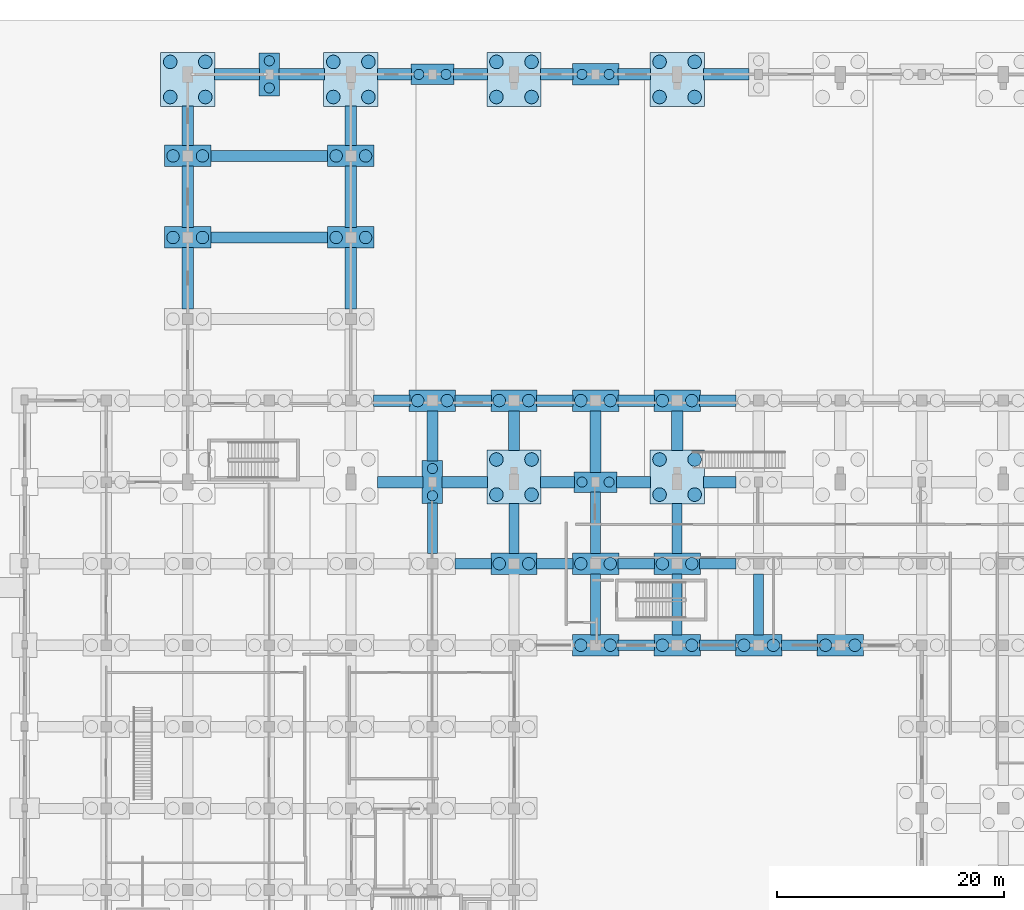
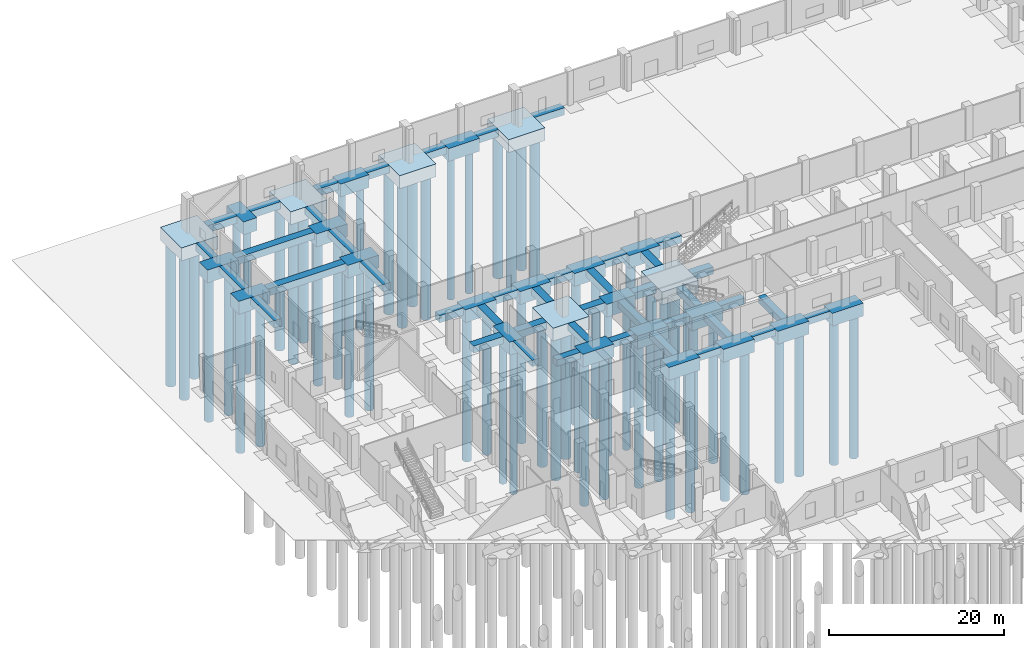
# One storey, part 7 of 48: 69 footings, 64 piles.
"""IFC4 building model written with IfcOpenShell, lengths in metres."""

from ifc_helpers import new_model, si_unit, direction, frame, origin, origin_2d, place, context, subcontext, project, spatial, rectangle, circle, extrude, material, material_profile, profile_set, type_object, element, save


model = new_model("IFC4")

# Units and contexts
model_context = context("Model", 3, precision=1e-05, world=origin(), true_north=direction((0.0, 1.0)))
body_context = subcontext(model_context, "Body", "Model", "MODEL_VIEW")
ifc_project = project(units=[si_unit("LENGTHUNIT", "METRE"), si_unit("AREAUNIT", "SQUARE_METRE"), si_unit("VOLUMEUNIT", "CUBIC_METRE"), si_unit("PLANEANGLEUNIT", "RADIAN"), si_unit("MASSUNIT", "GRAM", prefix="KILO")], contexts=[model_context])

# Site, building, storey
site_placement = place(None, origin())
site = spatial("IfcSite", under=ifc_project, at=site_placement, CompositionType="ELEMENT")
building_placement = place(site_placement, origin())
building = spatial("IfcBuilding", under=site, at=building_placement, Name="Seraya Terrace Polytechnic", CompositionType="ELEMENT")
storey_placement = place(building_placement, origin())
storey = spatial("IfcBuildingStorey", under=building, at=storey_placement, Name="L00", CompositionType="ELEMENT", Elevation=0.0)

# Piles
ifc_material = material(Name="Concrete C40/50", Category="concrete")
ifc_material_profile_1 = material_profile(ifc_material, circle(Radius=0.449951171875, at=origin_2d()), Name="DIA 900")
ifc_profile_set_1 = profile_set([ifc_material_profile_1], Name="Concrete C40/50")
pile_type_1 = type_object("IfcPileType", Name="BP-02", PredefinedType="BORED", material=ifc_profile_set_1)
for number, where, z_axis, x_axis, name in (
    (1, (21.60009765625, 114.0, -1.699951171875), (0.0, 0.0, -1.0), (1.0, 0.0, 0.0), "Bored pile BP-02 0216_1152-1"),
    (2, (21.60009765625, 116.39990234375, -1.699951171875), (0.0, 0.0, -1.0), (1.0, 0.0, 0.0), "Bored pile BP-02 0216_1152-2"),
    (3, (36.0, 78.0, -1.699951171875), (0.0, 0.0, -1.0), (1.0, 0.0, 0.0), "Bored pile BP-02 0360_0792-1"),
    (4, (36.0, 80.39990234375, -1.699951171875), (0.0, 0.0, -1.0), (1.0, 0.0, 0.0), "Bored pile BP-02 0360_0792-2"),
    (5, (34.800048828125, 115.199951171875, -1.699951171875), (0.0, 0.0, -1.0), (1.0, 0.0, 0.0), "Bored pile BP-02 0360_1152-1"),
    (6, (37.199951171875, 115.199951171875, -1.699951171875), (0.0, 0.0, -1.0), (1.0, 0.0, 0.0), "Bored pile BP-02 0360_1152-2"),
    (7, (49.199951171875, 79.199951171875, -1.699951171875), (0.0, 0.0, -1.0), (1.0, 0.0, 0.0), "Bored pile BP-02 0504_0792-1"),
    (8, (51.60009765625, 79.199951171875, -1.699951171875), (0.0, 0.0, -1.0), (1.0, 0.0, 0.0), "Bored pile BP-02 0504_0792-2"),
    (9, (49.199951171875, 115.199951171875, -1.699951171875), (0.0, 0.0, -1.0), (1.0, 0.0, 0.0), "Bored pile BP-02 0504_1152-1"),
    (10, (51.60009765625, 115.199951171875, -1.699951171875), (0.0, 0.0, -1.0), (1.0, 0.0, 0.0), "Bored pile BP-02 0504_1152-2"),
):
    element("IfcPile", number, at=place(storey_placement, frame(where, z_axis=z_axis, x_axis=x_axis)), inside=storey, type_object=pile_type_1, Name=name, PredefinedType="BORED", context=body_context, shape_type="SweptSolid", body=[
        extrude(circle(Radius=0.449951171875, at=origin_2d()), origin(), (0.0, 0.0, 1.0), 20.0),
    ])
ifc_material_profile_2 = material_profile(ifc_material, circle(Radius=0.550048828125, at=origin_2d()), Name="DIA 1100")
ifc_profile_set_2 = profile_set([ifc_material_profile_2], Name="Concrete C40/50")
pile_type_2 = type_object("IfcPileType", Name="BP-04", PredefinedType="BORED", material=ifc_profile_set_2)
for number, where, z_axis, x_axis, name in (
    (11, (13.10009765625, 100.800048828125, -1.699951171875), (0.0, 0.0, -1.0), (1.0, 0.0, 0.0), "Bored pile BP-04 0144_1008-1"),
    (12, (15.699951171875, 100.800048828125, -1.699951171875), (0.0, 0.0, -1.0), (1.0, 0.0, 0.0), "Bored pile BP-04 0144_1008-2"),
    (13, (13.10009765625, 108.0, -1.699951171875), (0.0, 0.0, -1.0), (1.0, 0.0, 0.0), "Bored pile BP-04 0144_1080-1"),
    (14, (15.699951171875, 108.0, -1.699951171875), (0.0, 0.0, -1.0), (1.0, 0.0, 0.0), "Bored pile BP-04 0144_1080-2"),
    (15, (27.5, 100.800048828125, -1.699951171875), (0.0, 0.0, -1.0), (1.0, 0.0, 0.0), "Bored pile BP-04 0288_1008-1"),
    (16, (30.10009765625, 100.800048828125, -1.699951171875), (0.0, 0.0, -1.0), (1.0, 0.0, 0.0), "Bored pile BP-04 0288_1008-2"),
    (17, (27.5, 108.0, -1.699951171875), (0.0, 0.0, -1.0), (1.0, 0.0, 0.0), "Bored pile BP-04 0288_1080-1"),
    (18, (30.10009765625, 108.0, -1.699951171875), (0.0, 0.0, -1.0), (1.0, 0.0, 0.0), "Bored pile BP-04 0288_1080-2"),
    (19, (34.699951171875, 86.39990234375, -1.699951171875), (0.0, 0.0, -1.0), (1.0, 0.0, 0.0), "Bored pile BP-04 0360_0864-1"),
    (20, (37.300048828125, 86.39990234375, -1.699951171875), (0.0, 0.0, -1.0), (1.0, 0.0, 0.0), "Bored pile BP-04 0360_0864-2"),
    (21, (41.89990234375, 72.0, -1.699951171875), (0.0, 0.0, -1.0), (1.0, 0.0, 0.0), "Bored pile BP-04 0432_0720-1"),
    (22, (44.5, 72.0, -1.699951171875), (0.0, 0.0, -1.0), (1.0, 0.0, 0.0), "Bored pile BP-04 0432_0720-2"),
    (23, (41.89990234375, 86.39990234375, -1.699951171875), (0.0, 0.0, -1.0), (1.0, 0.0, 0.0), "Bored pile BP-04 0432_0864-1"),
    (24, (44.5, 86.39990234375, -1.699951171875), (0.0, 0.0, -1.0), (1.0, 0.0, 0.0), "Bored pile BP-04 0432_0864-2"),
    (25, (49.10009765625, 64.800048828125, -1.699951171875), (0.0, 0.0, -1.0), (1.0, 0.0, 0.0), "Bored pile BP-04 0504_0648-1"),
    (26, (51.699951171875, 64.800048828125, -1.699951171875), (0.0, 0.0, -1.0), (1.0, 0.0, 0.0), "Bored pile BP-04 0504_0648-2"),
    (27, (49.10009765625, 72.0, -1.699951171875), (0.0, 0.0, -1.0), (1.0, 0.0, 0.0), "Bored pile BP-04 0504_0720-1"),
    (28, (51.699951171875, 72.0, -1.699951171875), (0.0, 0.0, -1.0), (1.0, 0.0, 0.0), "Bored pile BP-04 0504_0720-2"),
    (29, (49.10009765625, 86.39990234375, -1.699951171875), (0.0, 0.0, -1.0), (1.0, 0.0, 0.0), "Bored pile BP-04 0504_0864-1"),
    (30, (51.699951171875, 86.39990234375, -1.699951171875), (0.0, 0.0, -1.0), (1.0, 0.0, 0.0), "Bored pile BP-04 0504_0864-2"),
    (31, (56.300048828125, 64.800048828125, -1.699951171875), (0.0, 0.0, -1.0), (1.0, 0.0, 0.0), "Bored pile BP-04 0576_0648-1"),
    (32, (58.89990234375, 64.800048828125, -1.699951171875), (0.0, 0.0, -1.0), (1.0, 0.0, 0.0), "Bored pile BP-04 0576_0648-2"),
    (33, (56.300048828125, 72.0, -1.699951171875), (0.0, 0.0, -1.0), (1.0, 0.0, 0.0), "Bored pile BP-04 0576_0720-1"),
    (34, (58.89990234375, 72.0, -1.699951171875), (0.0, 0.0, -1.0), (1.0, 0.0, 0.0), "Bored pile BP-04 0576_0720-2"),
    (35, (56.300048828125, 86.39990234375, -1.699951171875), (0.0, 0.0, -1.0), (1.0, 0.0, 0.0), "Bored pile BP-04 0576_0864-1"),
    (36, (58.89990234375, 86.39990234375, -1.699951171875), (0.0, 0.0, -1.0), (1.0, 0.0, 0.0), "Bored pile BP-04 0576_0864-2"),
    (37, (63.5, 64.800048828125, -1.699951171875), (0.0, 0.0, -1.0), (1.0, 0.0, 0.0), "Bored pile BP-04 0648_0648-1"),
    (38, (66.10009765625, 64.800048828125, -1.699951171875), (0.0, 0.0, -1.0), (1.0, 0.0, 0.0), "Bored pile BP-04 0648_0648-2"),
    (39, (70.699951171875, 64.800048828125, -1.699951171875), (0.0, 0.0, -1.0), (1.0, 0.0, 0.0), "Bored pile BP-04 0720_0648-1"),
    (40, (73.300048828125, 64.800048828125, -1.699951171875), (0.0, 0.0, -1.0), (1.0, 0.0, 0.0), "Bored pile BP-04 0720_0648-2"),
):
    element("IfcPile", number, at=place(storey_placement, frame(where, z_axis=z_axis, x_axis=x_axis)), inside=storey, type_object=pile_type_2, Name=name, PredefinedType="BORED", context=body_context, shape_type="SweptSolid", body=[
        extrude(circle(Radius=0.550048828125, at=origin_2d()), origin(), (0.0, 0.0, 1.0), 20.0),
    ])
ifc_material_profile_3 = material_profile(ifc_material, circle(Radius=0.60009765625, at=origin_2d()), Name="DIA 1200")
ifc_profile_set_3 = profile_set([ifc_material_profile_3], Name="Concrete C40/50")
pile_type_3 = type_object("IfcPileType", Name="BP-05", PredefinedType="BORED", material=ifc_profile_set_3)
for number, where, z_axis, x_axis, name in (
    (41, (12.85009765625, 113.199951171875, -1.699951171875), (0.0, 0.0, -1.0), (1.0, 0.0, 0.0), "Bored pile BP-05 0144_1152-1"),
    (42, (15.949951171875, 113.199951171875, -1.699951171875), (0.0, 0.0, -1.0), (1.0, 0.0, 0.0), "Bored pile BP-05 0144_1152-2"),
    (43, (12.85009765625, 116.300048828125, -1.699951171875), (0.0, 0.0, -1.0), (1.0, 0.0, 0.0), "Bored pile BP-05 0144_1152-3"),
    (44, (15.949951171875, 116.300048828125, -1.699951171875), (0.0, 0.0, -1.0), (1.0, 0.0, 0.0), "Bored pile BP-05 0144_1152-4"),
    (45, (27.25, 113.199951171875, -1.699951171875), (0.0, 0.0, -1.0), (1.0, 0.0, 0.0), "Bored pile BP-05 0288_1152-1"),
    (46, (30.35009765625, 113.199951171875, -1.699951171875), (0.0, 0.0, -1.0), (1.0, 0.0, 0.0), "Bored pile BP-05 0288_1152-2"),
    (47, (27.25, 116.300048828125, -1.699951171875), (0.0, 0.0, -1.0), (1.0, 0.0, 0.0), "Bored pile BP-05 0288_1152-3"),
    (48, (30.35009765625, 116.300048828125, -1.699951171875), (0.0, 0.0, -1.0), (1.0, 0.0, 0.0), "Bored pile BP-05 0288_1152-4"),
    (49, (41.64990234375, 78.10009765625, -1.699951171875), (0.0, 0.0, -1.0), (1.0, 0.0, 0.0), "Bored pile BP-05 0432_0792-1"),
    (50, (44.75, 78.10009765625, -1.699951171875), (0.0, 0.0, -1.0), (1.0, 0.0, 0.0), "Bored pile BP-05 0432_0792-2"),
    (51, (41.64990234375, 81.199951171875, -1.699951171875), (0.0, 0.0, -1.0), (1.0, 0.0, 0.0), "Bored pile BP-05 0432_0792-3"),
    (52, (44.75, 81.199951171875, -1.699951171875), (0.0, 0.0, -1.0), (1.0, 0.0, 0.0), "Bored pile BP-05 0432_0792-4"),
    (53, (41.64990234375, 113.199951171875, -1.699951171875), (0.0, 0.0, -1.0), (1.0, 0.0, 0.0), "Bored pile BP-05 0432_1152-1"),
    (54, (44.75, 113.199951171875, -1.699951171875), (0.0, 0.0, -1.0), (1.0, 0.0, 0.0), "Bored pile BP-05 0432_1152-2"),
    (55, (41.64990234375, 116.300048828125, -1.699951171875), (0.0, 0.0, -1.0), (1.0, 0.0, 0.0), "Bored pile BP-05 0432_1152-3"),
    (56, (44.75, 116.300048828125, -1.699951171875), (0.0, 0.0, -1.0), (1.0, 0.0, 0.0), "Bored pile BP-05 0432_1152-4"),
    (57, (56.050048828125, 78.10009765625, -1.699951171875), (0.0, 0.0, -1.0), (1.0, 0.0, 0.0), "Bored pile BP-05 0576_0792-1"),
    (58, (59.14990234375, 78.10009765625, -1.699951171875), (0.0, 0.0, -1.0), (1.0, 0.0, 0.0), "Bored pile BP-05 0576_0792-2"),
    (59, (56.050048828125, 81.199951171875, -1.699951171875), (0.0, 0.0, -1.0), (1.0, 0.0, 0.0), "Bored pile BP-05 0576_0792-3"),
    (60, (59.14990234375, 81.199951171875, -1.699951171875), (0.0, 0.0, -1.0), (1.0, 0.0, 0.0), "Bored pile BP-05 0576_0792-4"),
    (61, (56.050048828125, 113.199951171875, -1.699951171875), (0.0, 0.0, -1.0), (1.0, 0.0, 0.0), "Bored pile BP-05 0576_1152-1"),
    (62, (59.14990234375, 113.199951171875, -1.699951171875), (0.0, 0.0, -1.0), (1.0, 0.0, 0.0), "Bored pile BP-05 0576_1152-2"),
    (63, (56.050048828125, 116.300048828125, -1.699951171875), (0.0, 0.0, -1.0), (1.0, 0.0, 0.0), "Bored pile BP-05 0576_1152-3"),
    (64, (59.14990234375, 116.300048828125, -1.699951171875), (0.0, 0.0, -1.0), (1.0, 0.0, 0.0), "Bored pile BP-05 0576_1152-4"),
):
    element("IfcPile", number, at=place(storey_placement, frame(where, z_axis=z_axis, x_axis=x_axis)), inside=storey, type_object=pile_type_3, Name=name, PredefinedType="BORED", context=body_context, shape_type="SweptSolid", body=[
        extrude(circle(Radius=0.60009765625, at=origin_2d()), origin(), (0.0, 0.0, 1.0), 20.0),
    ])

# Footings
footing_type_1 = type_object("IfcFootingType", Name="FB-01", PredefinedType="FOOTING_BEAM", material=ifc_material)
footing_1_placement = place(storey_placement, frame((39.60009765625, 72.0, -0.89990234375), z_axis=(0.0, 0.0, 1.0), x_axis=(1.0, 0.0, 0.0)))
element("IfcFooting", 65, at=footing_1_placement, inside=storey, type_object=footing_type_1, Name="Foundation tie beam FB-01 X", PredefinedType="FOOTING_BEAM", context=body_context, shape_type="SweptSolid", body=[
    extrude(rectangle(XDim=3.199951171875, YDim=0.89990234375, at=origin_2d()), origin(), (0.0, 0.0, 1.0), 0.89990234375),
])
footing_2_placement = place(storey_placement, frame((36.0, 75.125, -0.89990234375), z_axis=(0.0, 0.0, 1.0), x_axis=(0.0, 1.0, 0.0)))
element("IfcFooting", 66, at=footing_2_placement, inside=storey, type_object=footing_type_1, Name="Foundation tie beam FB-01 Y", PredefinedType="FOOTING_BEAM", context=body_context, shape_type="SweptSolid", body=[
    extrude(rectangle(XDim=4.449951171875, YDim=0.89990234375, at=origin_2d()), origin(), (0.0, 0.0, 1.0), 0.89990234375),
])
footing_3_placement = place(storey_placement, frame((46.800048828125, 72.0, -0.89990234375), z_axis=(0.0, 0.0, 1.0), x_axis=(1.0, 0.0, 0.0)))
element("IfcFooting", 67, at=footing_3_placement, inside=storey, type_object=footing_type_1, Name="Foundation tie beam FB-01 X", PredefinedType="FOOTING_BEAM", context=body_context, shape_type="SweptSolid", body=[
    extrude(rectangle(XDim=3.199951171875, YDim=0.89990234375, at=origin_2d()), origin(), (0.0, 0.0, 1.0), 0.89990234375),
])
footing_4_placement = place(storey_placement, frame((43.199951171875, 75.10009765625, -0.89990234375), z_axis=(0.0, 0.0, 1.0), x_axis=(0.0, 1.0, 0.0)))
element("IfcFooting", 68, at=footing_4_placement, inside=storey, type_object=footing_type_1, Name="Foundation tie beam FB-01 Y", PredefinedType="FOOTING_BEAM", context=body_context, shape_type="SweptSolid", body=[
    extrude(rectangle(XDim=4.39990234375, YDim=0.89990234375, at=origin_2d()), origin(), (0.0, 0.0, 1.0), 0.89990234375),
])
footing_5_placement = place(storey_placement, frame((54.0, 64.800048828125, -0.89990234375), z_axis=(0.0, 0.0, 1.0), x_axis=(1.0, 0.0, 0.0)))
element("IfcFooting", 69, at=footing_5_placement, inside=storey, type_object=footing_type_1, Name="Foundation tie beam FB-01 X", PredefinedType="FOOTING_BEAM", context=body_context, shape_type="SweptSolid", body=[
    extrude(rectangle(XDim=3.199951171875, YDim=0.89990234375, at=origin_2d()), origin(), (0.0, 0.0, 1.0), 0.89990234375),
])
footing_6_placement = place(storey_placement, frame((50.39990234375, 68.39990234375, -0.89990234375), z_axis=(0.0, 0.0, 1.0), x_axis=(0.0, 1.0, 0.0)))
element("IfcFooting", 70, at=footing_6_placement, inside=storey, type_object=footing_type_1, Name="Foundation tie beam FB-01 Y", PredefinedType="FOOTING_BEAM", context=body_context, shape_type="SweptSolid", body=[
    extrude(rectangle(XDim=5.39990234375, YDim=0.89990234375, at=origin_2d()), origin(), (0.0, 0.0, 1.0), 0.89990234375),
])
footing_7_placement = place(storey_placement, frame((54.0, 72.0, -0.89990234375), z_axis=(0.0, 0.0, 1.0), x_axis=(1.0, 0.0, 0.0)))
element("IfcFooting", 71, at=footing_7_placement, inside=storey, type_object=footing_type_1, Name="Foundation tie beam FB-01 X", PredefinedType="FOOTING_BEAM", context=body_context, shape_type="SweptSolid", body=[
    extrude(rectangle(XDim=3.199951171875, YDim=0.89990234375, at=origin_2d()), origin(), (0.0, 0.0, 1.0), 0.89990234375),
])
footing_8_placement = place(storey_placement, frame((50.39990234375, 75.625, -0.89990234375), z_axis=(0.0, 0.0, 1.0), x_axis=(0.0, 1.0, 0.0)))
element("IfcFooting", 72, at=footing_8_placement, inside=storey, type_object=footing_type_1, Name="Foundation tie beam FB-01 Y", PredefinedType="FOOTING_BEAM", context=body_context, shape_type="SweptSolid", body=[
    extrude(rectangle(XDim=5.449951171875, YDim=0.89990234375, at=origin_2d()), origin(), (0.0, 0.0, 1.0), 0.89990234375),
])
footing_9_placement = place(storey_placement, frame((61.199951171875, 64.800048828125, -0.89990234375), z_axis=(0.0, 0.0, 1.0), x_axis=(1.0, 0.0, 0.0)))
element("IfcFooting", 73, at=footing_9_placement, inside=storey, type_object=footing_type_1, Name="Foundation tie beam FB-01 X", PredefinedType="FOOTING_BEAM", context=body_context, shape_type="SweptSolid", body=[
    extrude(rectangle(XDim=3.199951171875, YDim=0.89990234375, at=origin_2d()), origin(), (0.0, 0.0, 1.0), 0.89990234375),
])
footing_10_placement = place(storey_placement, frame((57.60009765625, 68.39990234375, -0.89990234375), z_axis=(0.0, 0.0, 1.0), x_axis=(0.0, 1.0, 0.0)))
element("IfcFooting", 74, at=footing_10_placement, inside=storey, type_object=footing_type_1, Name="Foundation tie beam FB-01 Y", PredefinedType="FOOTING_BEAM", context=body_context, shape_type="SweptSolid", body=[
    extrude(rectangle(XDim=5.39990234375, YDim=0.89990234375, at=origin_2d()), origin(), (0.0, 0.0, 1.0), 0.89990234375),
])
footing_11_placement = place(storey_placement, frame((61.199951171875, 72.0, -0.89990234375), z_axis=(0.0, 0.0, 1.0), x_axis=(1.0, 0.0, 0.0)))
element("IfcFooting", 75, at=footing_11_placement, inside=storey, type_object=footing_type_1, Name="Foundation tie beam FB-01 X", PredefinedType="FOOTING_BEAM", context=body_context, shape_type="SweptSolid", body=[
    extrude(rectangle(XDim=3.199951171875, YDim=0.89990234375, at=origin_2d()), origin(), (0.0, 0.0, 1.0), 0.89990234375),
])
footing_12_placement = place(storey_placement, frame((57.60009765625, 75.10009765625, -0.89990234375), z_axis=(0.0, 0.0, 1.0), x_axis=(0.0, 1.0, 0.0)))
element("IfcFooting", 76, at=footing_12_placement, inside=storey, type_object=footing_type_1, Name="Foundation tie beam FB-01 Y", PredefinedType="FOOTING_BEAM", context=body_context, shape_type="SweptSolid", body=[
    extrude(rectangle(XDim=4.39990234375, YDim=0.89990234375, at=origin_2d()), origin(), (0.0, 0.0, 1.0), 0.89990234375),
])
footing_13_placement = place(storey_placement, frame((68.39990234375, 64.800048828125, -0.89990234375), z_axis=(0.0, 0.0, 1.0), x_axis=(1.0, 0.0, 0.0)))
element("IfcFooting", 77, at=footing_13_placement, inside=storey, type_object=footing_type_1, Name="Foundation tie beam FB-01 X", PredefinedType="FOOTING_BEAM", context=body_context, shape_type="SweptSolid", body=[
    extrude(rectangle(XDim=3.199951171875, YDim=0.89990234375, at=origin_2d()), origin(), (0.0, 0.0, 1.0), 0.89990234375),
])
footing_14_placement = place(storey_placement, frame((64.800048828125, 68.39990234375, -0.89990234375), z_axis=(0.0, 0.0, 1.0), x_axis=(0.0, 1.0, 0.0)))
element("IfcFooting", 78, at=footing_14_placement, inside=storey, type_object=footing_type_1, Name="Foundation tie beam FB-01 Y", PredefinedType="FOOTING_BEAM", context=body_context, shape_type="SweptSolid", body=[
    extrude(rectangle(XDim=5.39990234375, YDim=0.89990234375, at=origin_2d()), origin(), (0.0, 0.0, 1.0), 0.89990234375),
])
footing_type_2 = type_object("IfcFootingType", Name="FB-03", PredefinedType="FOOTING_BEAM", material=ifc_material)
footing_15_placement = place(storey_placement, frame((14.39990234375, 97.199951171875, -1.0), z_axis=(0.0, 0.0, 1.0), x_axis=(0.0, 1.0, 0.0)))
element("IfcFooting", 79, at=footing_15_placement, inside=storey, type_object=footing_type_2, Name="Foundation tie beam FB-03 Y", PredefinedType="FOOTING_BEAM", context=body_context, shape_type="SweptSolid", body=[
    extrude(rectangle(XDim=5.39990234375, YDim=1.0, at=origin_2d()), origin(), (0.0, 0.0, 1.0), 1.0),
])
footing_16_placement = place(storey_placement, frame((21.60009765625, 100.800048828125, -1.0), z_axis=(0.0, 0.0, 1.0), x_axis=(1.0, 0.0, 0.0)))
element("IfcFooting", 80, at=footing_16_placement, inside=storey, type_object=footing_type_2, Name="Foundation tie beam FB-03 X", PredefinedType="FOOTING_BEAM", context=body_context, shape_type="SweptSolid", body=[
    extrude(rectangle(XDim=10.39990234375, YDim=1.0, at=origin_2d()), origin(), (0.0, 0.0, 1.0), 1.0),
])
footing_17_placement = place(storey_placement, frame((14.39990234375, 104.39990234375, -1.0), z_axis=(0.0, 0.0, 1.0), x_axis=(0.0, 1.0, 0.0)))
element("IfcFooting", 81, at=footing_17_placement, inside=storey, type_object=footing_type_2, Name="Foundation tie beam FB-03 Y", PredefinedType="FOOTING_BEAM", context=body_context, shape_type="SweptSolid", body=[
    extrude(rectangle(XDim=5.39990234375, YDim=1.0, at=origin_2d()), origin(), (0.0, 0.0, 1.0), 1.0),
])
footing_18_placement = place(storey_placement, frame((21.60009765625, 108.0, -1.0), z_axis=(0.0, 0.0, 1.0), x_axis=(1.0, 0.0, 0.0)))
element("IfcFooting", 82, at=footing_18_placement, inside=storey, type_object=footing_type_2, Name="Foundation tie beam FB-03 X", PredefinedType="FOOTING_BEAM", context=body_context, shape_type="SweptSolid", body=[
    extrude(rectangle(XDim=10.39990234375, YDim=1.0, at=origin_2d()), origin(), (0.0, 0.0, 1.0), 1.0),
])
footing_19_placement = place(storey_placement, frame((14.39990234375, 110.64990234375, -1.0), z_axis=(0.0, 0.0, 1.0), x_axis=(0.0, 1.0, 0.0)))
element("IfcFooting", 83, at=footing_19_placement, inside=storey, type_object=footing_type_2, Name="Foundation tie beam FB-03 Y", PredefinedType="FOOTING_BEAM", context=body_context, shape_type="SweptSolid", body=[
    extrude(rectangle(XDim=3.5, YDim=1.0, at=origin_2d()), origin(), (0.0, 0.0, 1.0), 1.0),
])
for number, where, z_axis, x_axis, name in (
    (84, (18.75, 115.199951171875, -1.0), (0.0, 0.0, 1.0), (1.0, 0.0, 0.0), "Foundation tie beam FB-03 X"),
    (85, (24.449951171875, 115.199951171875, -1.0), (0.0, 0.0, 1.0), (1.0, 0.0, 0.0), "Foundation tie beam FB-03 X"),
    (86, (33.14990234375, 79.199951171875, -1.0), (0.0, 0.0, 1.0), (1.0, 0.0, 0.0), "Foundation tie beam FB-03 X"),
):
    element("IfcFooting", number, at=place(storey_placement, frame(where, z_axis=z_axis, x_axis=x_axis)), inside=storey, type_object=footing_type_2, Name=name, PredefinedType="FOOTING_BEAM", context=body_context, shape_type="SweptSolid", body=[
        extrude(rectangle(XDim=4.0, YDim=1.0, at=origin_2d()), origin(), (0.0, 0.0, 1.0), 1.0),
    ])
footing_20_placement = place(storey_placement, frame((32.39990234375, 86.39990234375, -1.0), z_axis=(0.0, 0.0, 1.0), x_axis=(1.0, 0.0, 0.0)))
element("IfcFooting", 87, at=footing_20_placement, inside=storey, type_object=footing_type_2, Name="Foundation tie beam FB-03 X", PredefinedType="FOOTING_BEAM", context=body_context, shape_type="SweptSolid", body=[
    extrude(rectangle(XDim=3.199951171875, YDim=1.0, at=origin_2d()), origin(), (0.0, 0.0, 1.0), 1.0),
])
for number, where, z_axis, x_axis, name in (
    (88, (28.800048828125, 97.199951171875, -1.0), (0.0, 0.0, 1.0), (0.0, 1.0, 0.0), "Foundation tie beam FB-03 Y"),
    (89, (28.800048828125, 104.39990234375, -1.0), (0.0, 0.0, 1.0), (0.0, 1.0, 0.0), "Foundation tie beam FB-03 Y"),
):
    element("IfcFooting", number, at=place(storey_placement, frame(where, z_axis=z_axis, x_axis=x_axis)), inside=storey, type_object=footing_type_2, Name=name, PredefinedType="FOOTING_BEAM", context=body_context, shape_type="SweptSolid", body=[
        extrude(rectangle(XDim=5.39990234375, YDim=1.0, at=origin_2d()), origin(), (0.0, 0.0, 1.0), 1.0),
    ])
footing_21_placement = place(storey_placement, frame((28.800048828125, 110.64990234375, -1.0), z_axis=(0.0, 0.0, 1.0), x_axis=(0.0, 1.0, 0.0)))
element("IfcFooting", 90, at=footing_21_placement, inside=storey, type_object=footing_type_2, Name="Foundation tie beam FB-03 Y", PredefinedType="FOOTING_BEAM", context=body_context, shape_type="SweptSolid", body=[
    extrude(rectangle(XDim=3.5, YDim=1.0, at=origin_2d()), origin(), (0.0, 0.0, 1.0), 1.0),
])
footing_22_placement = place(storey_placement, frame((32.64990234375, 115.199951171875, -1.0), z_axis=(0.0, 0.0, 1.0), x_axis=(1.0, 0.0, 0.0)))
element("IfcFooting", 91, at=footing_22_placement, inside=storey, type_object=footing_type_2, Name="Foundation tie beam FB-03 X", PredefinedType="FOOTING_BEAM", context=body_context, shape_type="SweptSolid", body=[
    extrude(rectangle(XDim=3.0, YDim=1.0, at=origin_2d()), origin(), (0.0, 0.0, 1.0), 1.0),
])
footing_23_placement = place(storey_placement, frame((38.85009765625, 79.199951171875, -1.0), z_axis=(0.0, 0.0, 1.0), x_axis=(1.0, 0.0, 0.0)))
element("IfcFooting", 92, at=footing_23_placement, inside=storey, type_object=footing_type_2, Name="Foundation tie beam FB-03 X", PredefinedType="FOOTING_BEAM", context=body_context, shape_type="SweptSolid", body=[
    extrude(rectangle(XDim=4.0, YDim=1.0, at=origin_2d()), origin(), (0.0, 0.0, 1.0), 1.0),
])
footing_24_placement = place(storey_placement, frame((36.0, 83.27490234375, -1.0), z_axis=(0.0, 0.0, 1.0), x_axis=(0.0, 1.0, 0.0)))
element("IfcFooting", 93, at=footing_24_placement, inside=storey, type_object=footing_type_2, Name="Foundation tie beam FB-03 Y", PredefinedType="FOOTING_BEAM", context=body_context, shape_type="SweptSolid", body=[
    extrude(rectangle(XDim=4.449951171875, YDim=1.0, at=origin_2d()), origin(), (0.0, 0.0, 1.0), 1.0),
])
footing_25_placement = place(storey_placement, frame((39.60009765625, 86.39990234375, -1.0), z_axis=(0.0, 0.0, 1.0), x_axis=(1.0, 0.0, 0.0)))
element("IfcFooting", 94, at=footing_25_placement, inside=storey, type_object=footing_type_2, Name="Foundation tie beam FB-03 X", PredefinedType="FOOTING_BEAM", context=body_context, shape_type="SweptSolid", body=[
    extrude(rectangle(XDim=3.199951171875, YDim=1.0, at=origin_2d()), origin(), (0.0, 0.0, 1.0), 1.0),
])
for number, where, z_axis, x_axis, name in (
    (95, (39.35009765625, 115.199951171875, -1.0), (0.0, 0.0, 1.0), (1.0, 0.0, 0.0), "Foundation tie beam FB-03 X"),
    (96, (47.050048828125, 79.199951171875, -1.0), (0.0, 0.0, 1.0), (1.0, 0.0, 0.0), "Foundation tie beam FB-03 X"),
):
    element("IfcFooting", number, at=place(storey_placement, frame(where, z_axis=z_axis, x_axis=x_axis)), inside=storey, type_object=footing_type_2, Name=name, PredefinedType="FOOTING_BEAM", context=body_context, shape_type="SweptSolid", body=[
        extrude(rectangle(XDim=3.0, YDim=1.0, at=origin_2d()), origin(), (0.0, 0.0, 1.0), 1.0),
    ])
footing_26_placement = place(storey_placement, frame((43.199951171875, 83.75, -1.0), z_axis=(0.0, 0.0, 1.0), x_axis=(0.0, 1.0, 0.0)))
element("IfcFooting", 97, at=footing_26_placement, inside=storey, type_object=footing_type_2, Name="Foundation tie beam FB-03 Y", PredefinedType="FOOTING_BEAM", context=body_context, shape_type="SweptSolid", body=[
    extrude(rectangle(XDim=3.5, YDim=1.0, at=origin_2d()), origin(), (0.0, 0.0, 1.0), 1.0),
])
footing_27_placement = place(storey_placement, frame((46.800048828125, 86.39990234375, -1.0), z_axis=(0.0, 0.0, 1.0), x_axis=(1.0, 0.0, 0.0)))
element("IfcFooting", 98, at=footing_27_placement, inside=storey, type_object=footing_type_2, Name="Foundation tie beam FB-03 X", PredefinedType="FOOTING_BEAM", context=body_context, shape_type="SweptSolid", body=[
    extrude(rectangle(XDim=3.199951171875, YDim=1.0, at=origin_2d()), origin(), (0.0, 0.0, 1.0), 1.0),
])
footing_28_placement = place(storey_placement, frame((46.97509765625, 115.199951171875, -1.0), z_axis=(0.0, 0.0, 1.0), x_axis=(1.0, 0.0, 0.0)))
element("IfcFooting", 99, at=footing_28_placement, inside=storey, type_object=footing_type_2, Name="Foundation tie beam FB-03 X", PredefinedType="FOOTING_BEAM", context=body_context, shape_type="SweptSolid", body=[
    extrude(rectangle(XDim=2.85009765625, YDim=1.0, at=origin_2d()), origin(), (0.0, 0.0, 1.0), 1.0),
])
footing_29_placement = place(storey_placement, frame((53.75, 79.199951171875, -1.0), z_axis=(0.0, 0.0, 1.0), x_axis=(1.0, 0.0, 0.0)))
element("IfcFooting", 100, at=footing_29_placement, inside=storey, type_object=footing_type_2, Name="Foundation tie beam FB-03 X", PredefinedType="FOOTING_BEAM", context=body_context, shape_type="SweptSolid", body=[
    extrude(rectangle(XDim=3.0, YDim=1.0, at=origin_2d()), origin(), (0.0, 0.0, 1.0), 1.0),
])
footing_30_placement = place(storey_placement, frame((50.39990234375, 82.77490234375, -1.0), z_axis=(0.0, 0.0, 1.0), x_axis=(0.0, 1.0, 0.0)))
element("IfcFooting", 101, at=footing_30_placement, inside=storey, type_object=footing_type_2, Name="Foundation tie beam FB-03 Y", PredefinedType="FOOTING_BEAM", context=body_context, shape_type="SweptSolid", body=[
    extrude(rectangle(XDim=5.449951171875, YDim=1.0, at=origin_2d()), origin(), (0.0, 0.0, 1.0), 1.0),
])
footing_31_placement = place(storey_placement, frame((54.0, 86.39990234375, -1.0), z_axis=(0.0, 0.0, 1.0), x_axis=(1.0, 0.0, 0.0)))
element("IfcFooting", 102, at=footing_31_placement, inside=storey, type_object=footing_type_2, Name="Foundation tie beam FB-03 X", PredefinedType="FOOTING_BEAM", context=body_context, shape_type="SweptSolid", body=[
    extrude(rectangle(XDim=3.199951171875, YDim=1.0, at=origin_2d()), origin(), (0.0, 0.0, 1.0), 1.0),
])
for number, where, z_axis, x_axis, name in (
    (103, (53.824951171875, 115.199951171875, -1.0), (0.0, 0.0, 1.0), (1.0, 0.0, 0.0), "Foundation tie beam FB-03 X"),
    (104, (61.375, 79.199951171875, -1.0), (0.0, 0.0, 1.0), (1.0, 0.0, 0.0), "Foundation tie beam FB-03 X"),
):
    element("IfcFooting", number, at=place(storey_placement, frame(where, z_axis=z_axis, x_axis=x_axis)), inside=storey, type_object=footing_type_2, Name=name, PredefinedType="FOOTING_BEAM", context=body_context, shape_type="SweptSolid", body=[
        extrude(rectangle(XDim=2.85009765625, YDim=1.0, at=origin_2d()), origin(), (0.0, 0.0, 1.0), 1.0),
    ])
footing_32_placement = place(storey_placement, frame((57.60009765625, 83.75, -1.0), z_axis=(0.0, 0.0, 1.0), x_axis=(0.0, 1.0, 0.0)))
element("IfcFooting", 105, at=footing_32_placement, inside=storey, type_object=footing_type_2, Name="Foundation tie beam FB-03 Y", PredefinedType="FOOTING_BEAM", context=body_context, shape_type="SweptSolid", body=[
    extrude(rectangle(XDim=3.5, YDim=1.0, at=origin_2d()), origin(), (0.0, 0.0, 1.0), 1.0),
])
footing_33_placement = place(storey_placement, frame((61.199951171875, 86.39990234375, -1.0), z_axis=(0.0, 0.0, 1.0), x_axis=(1.0, 0.0, 0.0)))
element("IfcFooting", 106, at=footing_33_placement, inside=storey, type_object=footing_type_2, Name="Foundation tie beam FB-03 X", PredefinedType="FOOTING_BEAM", context=body_context, shape_type="SweptSolid", body=[
    extrude(rectangle(XDim=3.199951171875, YDim=1.0, at=origin_2d()), origin(), (0.0, 0.0, 1.0), 1.0),
])
footing_34_placement = place(storey_placement, frame((61.949951171875, 115.199951171875, -1.0), z_axis=(0.0, 0.0, 1.0), x_axis=(1.0, 0.0, 0.0)))
element("IfcFooting", 107, at=footing_34_placement, inside=storey, type_object=footing_type_2, Name="Foundation tie beam FB-03 X", PredefinedType="FOOTING_BEAM", context=body_context, shape_type="SweptSolid", body=[
    extrude(rectangle(XDim=4.0, YDim=1.0, at=origin_2d()), origin(), (0.0, 0.0, 1.0), 1.0),
])
footing_type_3 = type_object("IfcFootingType", Name="PC-03", PredefinedType="PILE_CAP", material=ifc_material)
for number, where, z_axis, x_axis, name in (
    (108, (36.0, 115.199951171875, -1.7998046875), (0.0, 0.0, 1.0), (1.0, 0.0, 0.0), "Pile cap PC-03 at (36.0, 115.2)"),
    (109, (50.39990234375, 79.199951171875, -1.7998046875), (0.0, 0.0, 1.0), (1.0, 0.0, 0.0), "Pile cap PC-03 at (50.4, 79.2)"),
):
    element("IfcFooting", number, at=place(storey_placement, frame(where, z_axis=z_axis, x_axis=x_axis)), inside=storey, type_object=footing_type_3, Name=name, PredefinedType="PILE_CAP", context=body_context, shape_type="SweptSolid", body=[
        extrude(rectangle(XDim=3.800048828125, YDim=1.800048828125, at=origin_2d()), origin(), (0.0, 0.0, 1.0), 1.800048828125),
    ])
footing_type_4 = type_object("IfcFootingType", Name="PC-04", PredefinedType="PILE_CAP", material=ifc_material)
for number, where, z_axis, x_axis, name in (
    (110, (21.60009765625, 115.199951171875, -1.7998046875), (0.0, 0.0, 1.0), (1.0, 0.0, 0.0), "Pile cap PC-04 at (21.6, 115.2)"),
    (111, (36.0, 79.199951171875, -1.7998046875), (0.0, 0.0, 1.0), (1.0, 0.0, 0.0), "Pile cap PC-04 at (36.0, 79.2)"),
):
    element("IfcFooting", number, at=place(storey_placement, frame(where, z_axis=z_axis, x_axis=x_axis)), inside=storey, type_object=footing_type_4, Name=name, PredefinedType="PILE_CAP", context=body_context, shape_type="SweptSolid", body=[
        extrude(rectangle(XDim=1.800048828125, YDim=3.800048828125, at=origin_2d()), origin(), (0.0, 0.0, 1.0), 1.800048828125),
    ])
footing_type_5 = type_object("IfcFootingType", Name="PC-05", PredefinedType="PILE_CAP", material=ifc_material)
for number, where, z_axis, x_axis, name in (
    (112, (14.39990234375, 100.800048828125, -1.7998046875), (0.0, 0.0, 1.0), (1.0, 0.0, 0.0), "Pile cap PC-05 at (14.4, 100.8)"),
    (113, (14.39990234375, 108.0, -1.7998046875), (0.0, 0.0, 1.0), (1.0, 0.0, 0.0), "Pile cap PC-05 at (14.4, 108.0)"),
    (114, (28.800048828125, 100.800048828125, -1.7998046875), (0.0, 0.0, 1.0), (1.0, 0.0, 0.0), "Pile cap PC-05 at (28.8, 100.8)"),
    (115, (28.800048828125, 108.0, -1.7998046875), (0.0, 0.0, 1.0), (1.0, 0.0, 0.0), "Pile cap PC-05 at (28.8, 108.0)"),
    (116, (36.0, 86.39990234375, -1.7998046875), (0.0, 0.0, 1.0), (1.0, 0.0, 0.0), "Pile cap PC-05 at (36.0, 86.4)"),
    (117, (43.199951171875, 72.0, -1.7998046875), (0.0, 0.0, 1.0), (1.0, 0.0, 0.0), "Pile cap PC-05 at (43.2, 72.0)"),
    (118, (43.199951171875, 86.39990234375, -1.7998046875), (0.0, 0.0, 1.0), (1.0, 0.0, 0.0), "Pile cap PC-05 at (43.2, 86.4)"),
    (119, (50.39990234375, 64.800048828125, -1.7998046875), (0.0, 0.0, 1.0), (1.0, 0.0, 0.0), "Pile cap PC-05 at (50.4, 64.8)"),
    (120, (50.39990234375, 72.0, -1.7998046875), (0.0, 0.0, 1.0), (1.0, 0.0, 0.0), "Pile cap PC-05 at (50.4, 72.0)"),
    (121, (50.39990234375, 86.39990234375, -1.7998046875), (0.0, 0.0, 1.0), (1.0, 0.0, 0.0), "Pile cap PC-05 at (50.4, 86.4)"),
    (122, (50.39990234375, 115.199951171875, -1.7998046875), (0.0, 0.0, 1.0), (1.0, 0.0, 0.0), "Pile cap PC-05 at (50.4, 115.2)"),
    (123, (57.60009765625, 64.800048828125, -1.7998046875), (0.0, 0.0, 1.0), (1.0, 0.0, 0.0), "Pile cap PC-05 at (57.6, 64.8)"),
    (124, (57.60009765625, 72.0, -1.7998046875), (0.0, 0.0, 1.0), (1.0, 0.0, 0.0), "Pile cap PC-05 at (57.6, 72.0)"),
    (125, (57.60009765625, 86.39990234375, -1.7998046875), (0.0, 0.0, 1.0), (1.0, 0.0, 0.0), "Pile cap PC-05 at (57.6, 86.4)"),
    (126, (64.800048828125, 64.800048828125, -1.7998046875), (0.0, 0.0, 1.0), (1.0, 0.0, 0.0), "Pile cap PC-05 at (64.8, 64.8)"),
    (127, (72.0, 64.800048828125, -1.7998046875), (0.0, 0.0, 1.0), (1.0, 0.0, 0.0), "Pile cap PC-05 at (72.0, 64.8)"),
):
    element("IfcFooting", number, at=place(storey_placement, frame(where, z_axis=z_axis, x_axis=x_axis)), inside=storey, type_object=footing_type_5, Name=name, PredefinedType="PILE_CAP", context=body_context, shape_type="SweptSolid", body=[
        extrude(rectangle(XDim=4.10009765625, YDim=1.89990234375, at=origin_2d()), origin(), (0.0, 0.0, 1.0), 1.800048828125),
    ])
footing_type_6 = type_object("IfcFootingType", Name="PC-09", PredefinedType="PILE_CAP", material=ifc_material)
for number, where, z_axis, x_axis, name in (
    (128, (14.39990234375, 114.75, -1.7998046875), (0.0, 0.0, 1.0), (1.0, 0.0, 0.0), "Pile cap PC-09 at (14.4, 115.2)"),
    (129, (28.800048828125, 114.75, -1.7998046875), (0.0, 0.0, 1.0), (1.0, 0.0, 0.0), "Pile cap PC-09 at (28.8, 115.2)"),
    (130, (43.199951171875, 79.64990234375, -1.7998046875), (0.0, 0.0, 1.0), (1.0, 0.0, 0.0), "Pile cap PC-09 at (43.2, 79.2)"),
    (131, (43.199951171875, 114.75, -1.7998046875), (0.0, 0.0, 1.0), (1.0, 0.0, 0.0), "Pile cap PC-09 at (43.2, 115.2)"),
    (132, (57.60009765625, 79.64990234375, -1.7998046875), (0.0, 0.0, 1.0), (1.0, 0.0, 0.0), "Pile cap PC-09 at (57.6, 79.2)"),
    (133, (57.60009765625, 114.75, -1.7998046875), (0.0, 0.0, 1.0), (1.0, 0.0, 0.0), "Pile cap PC-09 at (57.6, 115.2)"),
):
    element("IfcFooting", number, at=place(storey_placement, frame(where, z_axis=z_axis, x_axis=x_axis)), inside=storey, type_object=footing_type_6, Name=name, PredefinedType="PILE_CAP", context=body_context, shape_type="SweptSolid", body=[
        extrude(rectangle(XDim=4.800048828125, YDim=4.800048828125, at=origin_2d()), origin(), (0.0, 0.0, 1.0), 1.800048828125),
    ])

save(model, "model.ifc")
